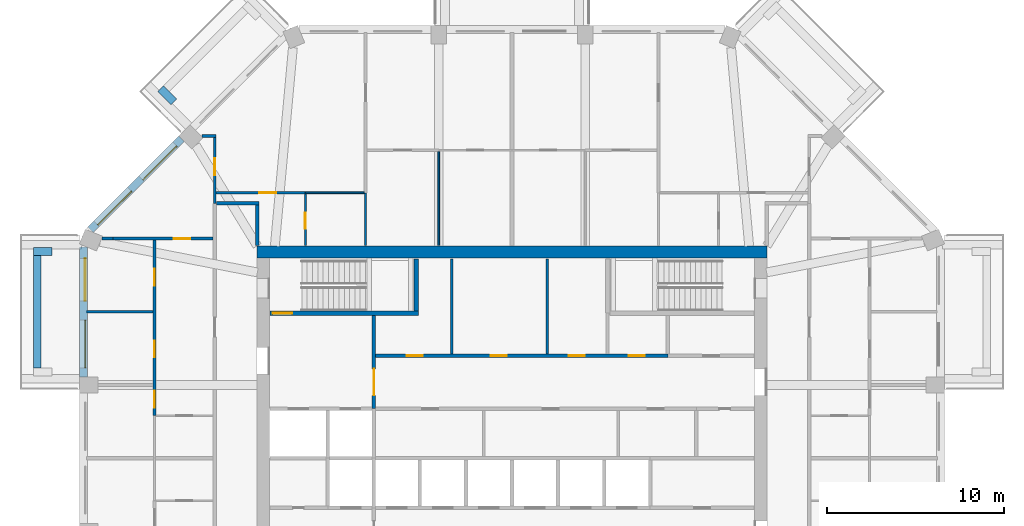
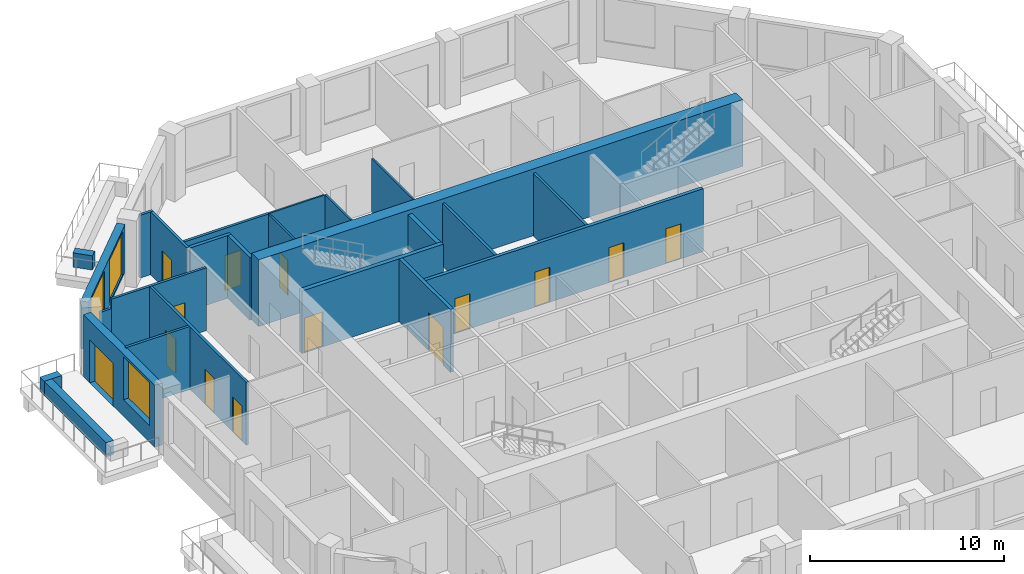
# One storey, part 7 of 12: 25 walls, 14 doors, 3 windows, 17 openings.
"""IFC4 building model written with IfcOpenShell, lengths in metres."""

from ifc_helpers import new_model, si_unit, direction, frame, frame_2d, origin, place, context, subcontext, project, spatial, rectangle, extrude, material, layer, layer_set, type_object, element, fill, save


model = new_model("IFC4")

# Units and contexts
model_context = context("Model", 3, precision=1e-05, world=origin(), true_north=direction((0.0, 1.0)))
body_context = subcontext(model_context, "Body", "Model", "MODEL_VIEW")
ifc_project = project(units=[si_unit("LENGTHUNIT", "METRE"), si_unit("AREAUNIT", "SQUARE_METRE"), si_unit("VOLUMEUNIT", "CUBIC_METRE"), si_unit("PLANEANGLEUNIT", "RADIAN"), si_unit("MASSUNIT", "GRAM", prefix="KILO")], contexts=[model_context])

# Site, building, storey
site_placement = place(None, origin())
site = spatial("IfcSite", under=ifc_project, at=site_placement, CompositionType="ELEMENT")
building_placement = place(site_placement, origin())
building = spatial("IfcBuilding", under=site, at=building_placement, Name="Msitu Wima Residences", CompositionType="ELEMENT")
storey_placement = place(building_placement, frame((0.0, 0.0, 166.5)))
storey = spatial("IfcBuildingStorey", under=building, at=storey_placement, Name="L38", CompositionType="ELEMENT", Elevation=166.5)

# Walls
ifc_material_1 = material(Name="Facing brick")
ifc_layer_1 = layer(ifc_material_1, 0.06494140625, Name="Facing brick")
ifc_material_2 = material(Name="Concrete C40/50", Category="concrete")
ifc_layer_2 = layer(ifc_material_2, 0.156005859375, Name="Concrete C40/50")
ifc_material_3 = material(Name="Waterproofing membrane")
ifc_layer_3 = layer(ifc_material_3, 0.00390625, Name="Waterproofing membrane")
ifc_material_4 = material(Name="Planting soil and planting")
ifc_layer_4 = layer(ifc_material_4, 0.22509765625, Name="Planting soil and planting")
ifc_layer_set_1 = layer_set([ifc_layer_1, ifc_layer_2, ifc_layer_3, ifc_layer_4], Name="Concrete C40/50")
wall_type_1 = type_object("IfcWallType", Name="Balcony planter PLANTER PL450", PredefinedType="USERDEFINED", material=ifc_layer_set_1)
wall_1_placement = place(storey_placement, frame((-19.107421875, 20.1328125, 0.0), z_axis=(0.0, 0.0, 1.0), x_axis=(-0.707106781187, 0.707106781187, 0.0)))
element("IfcWall", 1, at=wall_1_placement, inside=storey, type_object=wall_type_1, Name="Balcony planter NW0 L38", ObjectType="PLANTER", PredefinedType="USERDEFINED", context=body_context, shape_type="SweptSolid", body=[
    extrude(rectangle(XDim=1.050048828125, YDim=0.449951171875, at=frame_2d((0.52490234375, 0.0))), origin(), (0.0, 0.0, 1.0), 0.89990234375),
])
wall_2_placement = place(storey_placement, frame((-26.824951171875, 11.461669921875, 0.0), z_axis=(0.0, 0.0, 1.0), x_axis=(0.0, -1.0, 0.0)))
element("IfcWall", 2, at=wall_2_placement, inside=storey, type_object=wall_type_1, Name="Balcony planter W0 L38", ObjectType="PLANTER", PredefinedType="USERDEFINED", context=body_context, shape_type="SweptSolid", body=[
    extrude(rectangle(XDim=6.37451171875, YDim=0.449951171875, at=frame_2d((3.187255859375, 0.0))), origin(), (0.0, 0.0, 1.0), 0.89990234375),
])
wall_3_placement = place(storey_placement, frame((-26.0, 11.686767578125, 0.0), z_axis=(0.0, 0.0, 1.0), x_axis=(-1.0, 0.0, 0.0)))
element("IfcWall", 3, at=wall_3_placement, inside=storey, type_object=wall_type_1, Name="Balcony planter W0 L38", ObjectType="PLANTER", PredefinedType="USERDEFINED", context=body_context, shape_type="SweptSolid", body=[
    extrude(rectangle(XDim=1.050048828125, YDim=0.449951171875, at=frame_2d((0.52490234375, 0.0))), origin(), (0.0, 0.0, 1.0), 0.89990234375),
])

# Wall, openings, windows
ifc_material_5 = material(Name="Brick (red buff mix)", Category="masonry")
ifc_layer_5 = layer(ifc_material_5, 0.449951171875)
ifc_layer_set_2 = layer_set([ifc_layer_5], Name="Brick (red buff mix)")
wall_type_2 = type_object("IfcWallType", Name="Brick infill wall BW450", PredefinedType="SOLIDWALL", material=ifc_layer_set_2)
wall_4_placement = place(storey_placement, frame((-18.68310546875, 18.046875, 0.89990234375), z_axis=(0.0, 0.0, 1.0), x_axis=(-0.707106781187, -0.707106781187, 0.0)))
wall_4 = element("IfcWall", 4, at=wall_4_placement, inside=storey, type_object=wall_type_2, Name="Brick infill wall L38 NW1", PredefinedType="SOLIDWALL", context=body_context, shape_type="SweptSolid", body=[
    extrude(rectangle(XDim=7.257080078125, YDim=0.449951171875, at=frame_2d((3.62841796875, 0.0))), origin(), (0.0, 0.0, 1.0), 3.0),
])
opening_1_placement = place(wall_4_placement, frame((0.478515625, 0.0, 0.14990234375)))
opening_1 = element("IfcOpeningElement", 5, at=opening_1_placement, cuts=wall_4, Name="Opening W38-39.014", PredefinedType="OPENING", context=body_context, shape_type="SweptSolid", body=[
    extrude(rectangle(XDim=2.699951171875, YDim=2.699951171875, at=frame_2d((1.35009765625, 1.35009765625))), frame((0.0, 0.23486328125, 0.0), z_axis=(0.0, -1.0, 0.0), x_axis=(1.0, 0.0, 0.0)), (0.0, 0.0, 1.0), 0.469970703125),
])
opening_2_placement = place(wall_4_placement, frame((4.07861328125, 0.0, 0.14990234375)))
opening_2 = element("IfcOpeningElement", 6, at=opening_2_placement, cuts=wall_4, Name="Opening W38-39.015", PredefinedType="OPENING", context=body_context, shape_type="SweptSolid", body=[
    extrude(rectangle(XDim=2.699951171875, YDim=2.699951171875, at=frame_2d((1.35009765625, 1.35009765625))), frame((0.0, 0.23486328125, 0.0), z_axis=(0.0, -1.0, 0.0), x_axis=(1.0, 0.0, 0.0)), (0.0, 0.0, 1.0), 0.469970703125),
])
ifc_material_6 = material(Name="Anodised aluminium, bronze finish, clear low-emissivity double glazing", Category="aluminium")
window_type = type_object("IfcWindowType", Name="Window W2700x2700", PartitioningType="DOUBLE_PANEL_VERTICAL", PredefinedType="WINDOW", material=ifc_material_6)
window_1_placement = place(opening_1_placement, origin())
window_1 = element("IfcWindow", 7, at=window_1_placement, inside=storey, type_object=window_type, Name="Window L38 NW1.1", OverallHeight=2.699951171875, OverallWidth=2.699951171875, PartitioningType="SINGLE_PANEL", PredefinedType="WINDOW", context=body_context, shape_type="SweptSolid", body=[
    extrude(rectangle(XDim=2.699951171875, YDim=2.699951171875, at=frame_2d((1.35009765625, 1.35009765625))), frame((0.0, 0.135009765625, 0.0), z_axis=(0.0, -1.0, 0.0), x_axis=(1.0, 0.0, 0.0)), (0.0, 0.0, 1.0), 0.06005859375),
])
fill(opening_1, window_1)
window_2_placement = place(opening_2_placement, origin())
window_2 = element("IfcWindow", 8, at=window_2_placement, inside=storey, type_object=window_type, Name="Window L38 NW1.2", OverallHeight=2.699951171875, OverallWidth=2.699951171875, PartitioningType="SINGLE_PANEL", PredefinedType="WINDOW", context=body_context, shape_type="SweptSolid", body=[
    extrude(rectangle(XDim=2.699951171875, YDim=2.699951171875, at=frame_2d((1.35009765625, 1.35009765625))), frame((0.0, 0.135009765625, 0.0), z_axis=(0.0, -1.0, 0.0), x_axis=(1.0, 0.0, 0.0)), (0.0, 0.0, 1.0), 0.06005859375),
])
fill(opening_2, window_2)

# Wall, openings, door, window
wall_5_placement = place(storey_placement, frame((-24.22509765625, 11.9248046875, 0.0), z_axis=(0.0, 0.0, 1.0), x_axis=(0.0, -1.0, 0.0)))
wall_5 = element("IfcWall", 9, at=wall_5_placement, inside=storey, type_object=wall_type_2, Name="Brick infill wall L38 W0", PredefinedType="SOLIDWALL", context=body_context, shape_type="SweptSolid", body=[
    extrude(rectangle(XDim=7.337646484375, YDim=0.449951171875, at=frame_2d((3.6689453125, 0.0))), origin(), (0.0, 0.0, 1.0), 3.89990234375),
])
opening_3_placement = place(wall_5_placement, frame((0.63427734375, 0.0, 0.0)))
opening_3 = element("IfcOpeningElement", 10, at=opening_3_placement, cuts=wall_5, Name="Opening D38-39.009", PredefinedType="OPENING", context=body_context, shape_type="SweptSolid", body=[
    extrude(rectangle(XDim=2.39990234375, YDim=2.699951171875, at=frame_2d((1.199951171875, 1.35009765625))), frame((0.0, 0.23486328125, 0.0), z_axis=(0.0, -1.0, 0.0), x_axis=(1.0, 0.0, 0.0)), (0.0, 0.0, 1.0), 0.469970703125),
])
opening_4_placement = place(wall_5_placement, frame((4.11865234375, 0.0, 1.050048828125)))
opening_4 = element("IfcOpeningElement", 11, at=opening_4_placement, cuts=wall_5, Name="Opening W38-39.027", PredefinedType="OPENING", context=body_context, shape_type="SweptSolid", body=[
    extrude(rectangle(XDim=2.699951171875, YDim=2.699951171875, at=frame_2d((1.35009765625, 1.35009765625))), frame((0.0, 0.23486328125, 0.0), z_axis=(0.0, -1.0, 0.0), x_axis=(1.0, 0.0, 0.0)), (0.0, 0.0, 1.0), 0.469970703125),
])
door_type_1 = type_object("IfcDoorType", Name="Balcony door D2400x2700", OperationType="SLIDING_TO_LEFT", PredefinedType="DOOR", material=ifc_material_6)
door_1_placement = place(opening_3_placement, origin())
door_1 = element("IfcDoor", 12, at=door_1_placement, inside=storey, type_object=door_type_1, Name="Balcony door L38 W0", OperationType="SINGLE_SWING_LEFT", OverallHeight=2.699951171875, OverallWidth=2.39990234375, PredefinedType="DOOR", context=body_context, shape_type="SweptSolid", body=[
    extrude(rectangle(XDim=2.39990234375, YDim=2.699951171875, at=frame_2d((1.199951171875, 1.35009765625))), frame((0.0, 0.1298828125, 0.0), z_axis=(0.0, -1.0, 0.0), x_axis=(1.0, 0.0, 0.0)), (0.0, 0.0, 1.0), 0.050048828125),
])
fill(opening_3, door_1)
window_3_placement = place(opening_4_placement, origin())
window_3 = element("IfcWindow", 13, at=window_3_placement, inside=storey, type_object=window_type, Name="Window L38 W0.2", OverallHeight=2.699951171875, OverallWidth=2.699951171875, PartitioningType="SINGLE_PANEL", PredefinedType="WINDOW", context=body_context, shape_type="SweptSolid", body=[
    extrude(rectangle(XDim=2.699951171875, YDim=2.699951171875, at=frame_2d((1.35009765625, 1.35009765625))), frame((0.0, 0.135009765625, 0.0), z_axis=(0.0, -1.0, 0.0), x_axis=(1.0, 0.0, 0.0)), (0.0, 0.0, 1.0), 0.06005859375),
])
fill(opening_4, window_3)

# Walls
ifc_material_7 = material(Name="Concrete C60/75", Category="concrete")
ifc_layer_6 = layer(ifc_material_7, 0.699951171875)
ifc_layer_set_3 = layer_set([ifc_layer_6], Name="Concrete C60/75")
wall_type_3 = type_object("IfcWallType", Name="Core wall CW700 C60/75", PredefinedType="SHEAR", material=ifc_layer_set_3)
wall_6_placement = place(storey_placement, frame((-14.39990234375, 11.64990234375, 0.0), z_axis=(0.0, 0.0, 1.0), x_axis=(1.0, 0.0, 0.0)))
element("IfcWall", 14, at=wall_6_placement, inside=storey, type_object=wall_type_3, Name="Core wall", PredefinedType="SHEAR", context=body_context, shape_type="SweptSolid", body=[
    extrude(rectangle(XDim=28.7998046875, YDim=0.699951171875, at=frame_2d((14.39990234375, 0.0))), origin(), (0.0, 0.0, 1.0), 4.199951171875),
])
ifc_material_8 = material(Name="Plaster")
ifc_layer_7 = layer(ifc_material_8, 0.011962890625, Name="Plaster")
ifc_material_9 = material(Name="Concrete blockwork", Category="masonry")
ifc_layer_8 = layer(ifc_material_9, 0.176025390625, Name="Concrete blockwork")
ifc_layer_9 = layer(ifc_material_8, 0.011962890625, Name="Plaster")
ifc_layer_set_4 = layer_set([ifc_layer_7, ifc_layer_8, ifc_layer_9], Name="Concrete blockwork")
wall_type_4 = type_object("IfcWallType", Name="Corridor wall FW200", PredefinedType="PARTITIONING", material=ifc_layer_set_4)
wall_7_placement = place(storey_placement, frame((-16.699951171875, 14.39990234375, 0.0), z_axis=(0.0, 0.0, 1.0), x_axis=(1.0, 0.0, 0.0)))
element("IfcWall", 15, at=wall_7_placement, inside=storey, type_object=wall_type_4, Name="Corridor wall", PredefinedType="PARTITIONING", context=body_context, shape_type="SweptSolid", body=[
    extrude(rectangle(XDim=2.39990234375, YDim=0.199951171875, at=frame_2d((1.199951171875, 0.0))), origin(), (0.0, 0.0, 1.0), 3.949951171875),
])
wall_8_placement = place(storey_placement, frame((-14.39990234375, 12.030029296875, 0.0), z_axis=(0.0, 0.0, 1.0), x_axis=(0.0, 1.0, 0.0)))
element("IfcWall", 16, at=wall_8_placement, inside=storey, type_object=wall_type_4, Name="Corridor wall", PredefinedType="PARTITIONING", context=body_context, shape_type="SweptSolid", body=[
    extrude(rectangle(XDim=2.27001953125, YDim=0.199951171875, at=frame_2d((1.135009765625, 0.0))), origin(), (0.0, 0.0, 1.0), 3.949951171875),
])

# Wall, opening, door
wall_9_placement = place(storey_placement, frame((-7.800048828125, 2.800048828125, 0.0), z_axis=(0.0, 0.0, 1.0), x_axis=(0.0, 1.0, 0.0)))
wall_9 = element("IfcWall", 17, at=wall_9_placement, inside=storey, type_object=wall_type_4, Name="Corridor wall", PredefinedType="PARTITIONING", context=body_context, shape_type="SweptSolid", body=[
    extrude(rectangle(XDim=5.27490234375, YDim=0.199951171875, at=frame_2d((2.637451171875, 0.0))), origin(), (0.0, 0.0, 1.0), 3.949951171875),
])
opening_5_placement = place(wall_9_placement, frame((0.75, 0.0, 0.0)))
opening_5 = element("IfcOpeningElement", 18, at=opening_5_placement, cuts=wall_9, Name="Opening D38-39.061", PredefinedType="OPENING", context=body_context, shape_type="SweptSolid", body=[
    extrude(rectangle(XDim=1.5, YDim=2.39990234375, at=frame_2d((0.75, 1.199951171875))), frame((0.0, 0.10986328125, 0.0), z_axis=(0.0, -1.0, 0.0), x_axis=(1.0, 0.0, 0.0)), (0.0, 0.0, 1.0), 0.219970703125),
])
ifc_material_10 = material(Name="Steel framed glazed door, fire resisting", Category="steel")
door_type_2 = type_object("IfcDoorType", Name="Lobby door D07 1500x2400", OperationType="DOUBLE_DOOR_SINGLE_SWING", PredefinedType="DOOR", material=ifc_material_10)
door_2_placement = place(opening_5_placement, origin())
door_2 = element("IfcDoor", 19, at=door_2_placement, inside=storey, type_object=door_type_2, Name="Lobby door", OperationType="DOUBLE_DOOR_SINGLE_SWING", OverallHeight=2.39990234375, OverallWidth=1.5, PredefinedType="DOOR", context=body_context, shape_type="SweptSolid", body=[
    extrude(rectangle(XDim=1.5, YDim=2.39990234375, at=frame_2d((0.75, 1.199951171875))), frame((0.0, 0.02490234375, 0.0), z_axis=(0.0, -1.0, 0.0), x_axis=(1.0, 0.0, 0.0)), (0.0, 0.0, 1.0), 0.050048828125),
])
fill(opening_5, door_2)

# Wall, openings, doors
wall_10_placement = place(storey_placement, frame((-7.699951171875, 5.800048828125, 0.0), z_axis=(0.0, 0.0, 1.0), x_axis=(1.0, 0.0, 0.0)))
wall_10 = element("IfcWall", 20, at=wall_10_placement, inside=storey, type_object=wall_type_4, Name="Corridor wall", PredefinedType="PARTITIONING", context=body_context, shape_type="SweptSolid", body=[
    extrude(rectangle(XDim=16.52001953125, YDim=0.199951171875, at=frame_2d((8.260009765625, 0.0))), origin(), (0.0, 0.0, 1.0), 3.949951171875),
])
opening_6_placement = place(wall_10_placement, frame((1.75, 0.0, 0.0)))
opening_6 = element("IfcOpeningElement", 21, at=opening_6_placement, cuts=wall_10, Name="Opening D38-39.064", PredefinedType="OPENING", context=body_context, shape_type="SweptSolid", body=[
    extrude(rectangle(XDim=0.89990234375, YDim=2.199951171875, at=frame_2d((0.449951171875, 1.10009765625))), frame((0.0, 0.10986328125, 0.0), z_axis=(0.0, -1.0, 0.0), x_axis=(1.0, 0.0, 0.0)), (0.0, 0.0, 1.0), 0.219970703125),
])
opening_7_placement = place(wall_10_placement, frame((6.5, 0.0, 0.0)))
opening_7 = element("IfcOpeningElement", 22, at=opening_7_placement, cuts=wall_10, Name="Opening D38-39.065", PredefinedType="OPENING", context=body_context, shape_type="SweptSolid", body=[
    extrude(rectangle(XDim=0.89990234375, YDim=2.199951171875, at=frame_2d((0.449951171875, 1.10009765625))), frame((0.0, 0.10986328125, 0.0), z_axis=(0.0, -1.0, 0.0), x_axis=(1.0, 0.0, 0.0)), (0.0, 0.0, 1.0), 0.219970703125),
])
opening_8_placement = place(wall_10_placement, frame((10.89990234375, 0.0, 0.0)))
opening_8 = element("IfcOpeningElement", 23, at=opening_8_placement, cuts=wall_10, Name="Opening D38-39.066", PredefinedType="OPENING", context=body_context, shape_type="SweptSolid", body=[
    extrude(rectangle(XDim=0.89990234375, YDim=2.199951171875, at=frame_2d((0.449951171875, 1.10009765625))), frame((0.0, 0.10986328125, 0.0), z_axis=(0.0, -1.0, 0.0), x_axis=(1.0, 0.0, 0.0)), (0.0, 0.0, 1.0), 0.219970703125),
])
opening_9_placement = place(wall_10_placement, frame((14.300048828125, 0.0, 0.0)))
opening_9 = element("IfcOpeningElement", 24, at=opening_9_placement, cuts=wall_10, Name="Opening D38-39.067", PredefinedType="OPENING", context=body_context, shape_type="SweptSolid", body=[
    extrude(rectangle(XDim=0.89990234375, YDim=2.199951171875, at=frame_2d((0.449951171875, 1.10009765625))), frame((0.0, 0.10986328125, 0.0), z_axis=(0.0, -1.0, 0.0), x_axis=(1.0, 0.0, 0.0)), (0.0, 0.0, 1.0), 0.219970703125),
])
ifc_material_11 = material(Name="Timber flush door", Category="wood")
door_type_3 = type_object("IfcDoorType", Name="Service door D05 900x2200", OperationType="SINGLE_SWING_LEFT", PredefinedType="DOOR", material=ifc_material_11)
door_3_placement = place(opening_6_placement, origin())
door_3 = element("IfcDoor", 25, at=door_3_placement, inside=storey, type_object=door_type_3, Name="Service door", OperationType="SINGLE_SWING_RIGHT", OverallHeight=2.199951171875, OverallWidth=0.89990234375, PredefinedType="DOOR", context=body_context, shape_type="SweptSolid", body=[
    extrude(rectangle(XDim=0.89990234375, YDim=2.199951171875, at=frame_2d((0.449951171875, 1.10009765625))), frame((0.0, 0.02490234375, 0.0), z_axis=(0.0, -1.0, 0.0), x_axis=(1.0, 0.0, 0.0)), (0.0, 0.0, 1.0), 0.050048828125),
])
fill(opening_6, door_3)
door_4_placement = place(opening_7_placement, origin())
door_4 = element("IfcDoor", 26, at=door_4_placement, inside=storey, type_object=door_type_3, Name="Service door", OperationType="SINGLE_SWING_LEFT", OverallHeight=2.199951171875, OverallWidth=0.89990234375, PredefinedType="DOOR", context=body_context, shape_type="SweptSolid", body=[
    extrude(rectangle(XDim=0.89990234375, YDim=2.199951171875, at=frame_2d((0.449951171875, 1.10009765625))), frame((0.0, 0.02490234375, 0.0), z_axis=(0.0, -1.0, 0.0), x_axis=(1.0, 0.0, 0.0)), (0.0, 0.0, 1.0), 0.050048828125),
])
fill(opening_7, door_4)
door_5_placement = place(opening_8_placement, origin())
door_5 = element("IfcDoor", 27, at=door_5_placement, inside=storey, type_object=door_type_3, Name="Service door", OperationType="SINGLE_SWING_LEFT", OverallHeight=2.199951171875, OverallWidth=0.89990234375, PredefinedType="DOOR", context=body_context, shape_type="SweptSolid", body=[
    extrude(rectangle(XDim=0.89990234375, YDim=2.199951171875, at=frame_2d((0.449951171875, 1.10009765625))), frame((0.0, 0.02490234375, 0.0), z_axis=(0.0, -1.0, 0.0), x_axis=(1.0, 0.0, 0.0)), (0.0, 0.0, 1.0), 0.050048828125),
])
fill(opening_8, door_5)
door_6_placement = place(opening_9_placement, origin())
door_6 = element("IfcDoor", 28, at=door_6_placement, inside=storey, type_object=door_type_3, Name="Service door", OperationType="SINGLE_SWING_LEFT", OverallHeight=2.199951171875, OverallWidth=0.89990234375, PredefinedType="DOOR", context=body_context, shape_type="SweptSolid", body=[
    extrude(rectangle(XDim=0.89990234375, YDim=2.199951171875, at=frame_2d((0.449951171875, 1.10009765625))), frame((0.0, 0.02490234375, 0.0), z_axis=(0.0, -1.0, 0.0), x_axis=(1.0, 0.0, 0.0)), (0.0, 0.0, 1.0), 0.050048828125),
])
fill(opening_9, door_6)

# Walls
ifc_layer_10 = layer(ifc_material_8, 0.011962890625, Name="Plaster")
ifc_layer_11 = layer(ifc_material_9, 0.1259765625, Name="Concrete blockwork")
ifc_layer_12 = layer(ifc_material_8, 0.011962890625, Name="Plaster")
ifc_layer_set_5 = layer_set([ifc_layer_10, ifc_layer_11, ifc_layer_12], Name="Concrete blockwork")
wall_type_5 = type_object("IfcWallType", Name="Partition PW150", PredefinedType="PARTITIONING", material=ifc_layer_set_5)
wall_11_placement = place(storey_placement, frame((-24.054931640625, 8.2744140625, 0.0), z_axis=(0.0, 0.0, 1.0), x_axis=(1.0, 0.0, 0.0)))
element("IfcWall", 29, at=wall_11_placement, inside=storey, type_object=wall_type_5, Name="Partition", PredefinedType="PARTITIONING", context=body_context, shape_type="SweptSolid", body=[
    extrude(rectangle(XDim=3.780029296875, YDim=0.14990234375, at=frame_2d((1.89013671875, 0.0))), origin(), (0.0, 0.0, 1.0), 3.949951171875),
])
wall_12_placement = place(storey_placement, frame((-23.1689453125, 12.411865234375, 0.0), z_axis=(0.0, 0.0, 1.0), x_axis=(1.0, 0.0, 0.0)))
element("IfcWall", 30, at=wall_12_placement, inside=storey, type_object=wall_type_5, Name="Partition", PredefinedType="PARTITIONING", context=body_context, shape_type="SweptSolid", body=[
    extrude(rectangle(XDim=0.630615234375, YDim=0.14990234375, at=frame_2d((0.3154296875, 0.0))), origin(), (0.0, 0.0, 1.0), 3.35009765625),
])

# Wall, opening, door
wall_13_placement = place(storey_placement, frame((-22.538330078125, 12.411865234375, 0.0), z_axis=(0.0, 0.0, 1.0), x_axis=(1.0, 0.0, 0.0)))
wall_13 = element("IfcWall", 31, at=wall_13_placement, inside=storey, type_object=wall_type_5, Name="Partition", PredefinedType="PARTITIONING", context=body_context, shape_type="SweptSolid", body=[
    extrude(rectangle(XDim=5.638427734375, YDim=0.14990234375, at=frame_2d((2.8193359375, 0.0))), origin(), (0.0, 0.0, 1.0), 3.949951171875),
])
opening_10_placement = place(wall_13_placement, frame((3.41943359375, 0.0, 0.0)))
opening_10 = element("IfcOpeningElement", 32, at=opening_10_placement, cuts=wall_13, Name="Opening D38-39.030", PredefinedType="OPENING", context=body_context, shape_type="SweptSolid", body=[
    extrude(rectangle(XDim=0.949951171875, YDim=2.199951171875, at=frame_2d((0.47509765625, 1.10009765625))), frame((0.0, 0.0849609375, 0.0), z_axis=(0.0, -1.0, 0.0), x_axis=(1.0, 0.0, 0.0)), (0.0, 0.0, 1.0), 0.169921875),
])
door_type_4 = type_object("IfcDoorType", Name="Room door D12 950x2200", OperationType="SINGLE_SWING_LEFT", PredefinedType="DOOR", material=ifc_material_11)
door_7_placement = place(opening_10_placement, origin())
door_7 = element("IfcDoor", 33, at=door_7_placement, inside=storey, type_object=door_type_4, Name="Room door", OperationType="SINGLE_SWING_RIGHT", OverallHeight=2.199951171875, OverallWidth=0.949951171875, PredefinedType="DOOR", context=body_context, shape_type="SweptSolid", body=[
    extrude(rectangle(XDim=0.949951171875, YDim=2.199951171875, at=frame_2d((0.47509765625, 1.10009765625))), frame((0.0, 0.02490234375, 0.0), z_axis=(0.0, -1.0, 0.0), x_axis=(1.0, 0.0, 0.0)), (0.0, 0.0, 1.0), 0.050048828125),
])
fill(opening_10, door_7)

# Wall, openings, doors
wall_14_placement = place(storey_placement, frame((-20.199951171875, 2.39990234375, 0.0), z_axis=(0.0, 0.0, 1.0), x_axis=(0.0, 1.0, 0.0)))
wall_14 = element("IfcWall", 34, at=wall_14_placement, inside=storey, type_object=wall_type_5, Name="Partition", PredefinedType="PARTITIONING", context=body_context, shape_type="SweptSolid", body=[
    extrude(rectangle(XDim=9.936767578125, YDim=0.14990234375, at=frame_2d((4.96826171875, 0.0))), origin(), (0.0, 0.0, 1.0), 3.949951171875),
])
opening_11_placement = place(wall_14_placement, frame((0.449951171875, 0.0, 0.0)))
opening_11 = element("IfcOpeningElement", 35, at=opening_11_placement, cuts=wall_14, Name="Opening D38-39.027", PredefinedType="OPENING", context=body_context, shape_type="SweptSolid", body=[
    extrude(rectangle(XDim=0.949951171875, YDim=2.199951171875, at=frame_2d((0.47509765625, 1.10009765625))), frame((0.0, 0.0849609375, 0.0), z_axis=(0.0, -1.0, 0.0), x_axis=(1.0, 0.0, 0.0)), (0.0, 0.0, 1.0), 0.169921875),
])
opening_12_placement = place(wall_14_placement, frame((3.300048828125, 0.0, 0.0)))
opening_12 = element("IfcOpeningElement", 36, at=opening_12_placement, cuts=wall_14, Name="Opening D38-39.028", PredefinedType="OPENING", context=body_context, shape_type="SweptSolid", body=[
    extrude(rectangle(XDim=0.949951171875, YDim=2.199951171875, at=frame_2d((0.47509765625, 1.10009765625))), frame((0.0, 0.0849609375, 0.0), z_axis=(0.0, -1.0, 0.0), x_axis=(1.0, 0.0, 0.0)), (0.0, 0.0, 1.0), 0.169921875),
])
opening_13_placement = place(wall_14_placement, frame((7.35009765625, 0.0, 0.0)))
opening_13 = element("IfcOpeningElement", 37, at=opening_13_placement, cuts=wall_14, Name="Opening D38-39.029", PredefinedType="OPENING", context=body_context, shape_type="SweptSolid", body=[
    extrude(rectangle(XDim=0.949951171875, YDim=2.199951171875, at=frame_2d((0.47509765625, 1.10009765625))), frame((0.0, 0.0849609375, 0.0), z_axis=(0.0, -1.0, 0.0), x_axis=(1.0, 0.0, 0.0)), (0.0, 0.0, 1.0), 0.169921875),
])
door_8_placement = place(opening_11_placement, origin())
door_8 = element("IfcDoor", 38, at=door_8_placement, inside=storey, type_object=door_type_4, Name="Room door", OperationType="SINGLE_SWING_RIGHT", OverallHeight=2.199951171875, OverallWidth=0.949951171875, PredefinedType="DOOR", context=body_context, shape_type="SweptSolid", body=[
    extrude(rectangle(XDim=0.949951171875, YDim=2.199951171875, at=frame_2d((0.47509765625, 1.10009765625))), frame((0.0, 0.02490234375, 0.0), z_axis=(0.0, -1.0, 0.0), x_axis=(1.0, 0.0, 0.0)), (0.0, 0.0, 1.0), 0.050048828125),
])
fill(opening_11, door_8)
door_9_placement = place(opening_12_placement, origin())
door_9 = element("IfcDoor", 39, at=door_9_placement, inside=storey, type_object=door_type_4, Name="Room door", OperationType="SINGLE_SWING_LEFT", OverallHeight=2.199951171875, OverallWidth=0.949951171875, PredefinedType="DOOR", context=body_context, shape_type="SweptSolid", body=[
    extrude(rectangle(XDim=0.949951171875, YDim=2.199951171875, at=frame_2d((0.47509765625, 1.10009765625))), frame((0.0, 0.02490234375, 0.0), z_axis=(0.0, -1.0, 0.0), x_axis=(1.0, 0.0, 0.0)), (0.0, 0.0, 1.0), 0.050048828125),
])
fill(opening_12, door_9)
door_10_placement = place(opening_13_placement, origin())
door_10 = element("IfcDoor", 40, at=door_10_placement, inside=storey, type_object=door_type_4, Name="Room door", OperationType="SINGLE_SWING_LEFT", OverallHeight=2.199951171875, OverallWidth=0.949951171875, PredefinedType="DOOR", context=body_context, shape_type="SweptSolid", body=[
    extrude(rectangle(XDim=0.949951171875, YDim=2.199951171875, at=frame_2d((0.47509765625, 1.10009765625))), frame((0.0, 0.02490234375, 0.0), z_axis=(0.0, -1.0, 0.0), x_axis=(1.0, 0.0, 0.0)), (0.0, 0.0, 1.0), 0.050048828125),
])
fill(opening_13, door_10)

# Wall
wall_15_placement = place(storey_placement, frame((-17.509521484375, 18.205810546875, 0.0), z_axis=(0.0, 0.0, 1.0), x_axis=(1.0, 0.0, 0.0)))
element("IfcWall", 41, at=wall_15_placement, inside=storey, type_object=wall_type_5, Name="Partition", PredefinedType="PARTITIONING", context=body_context, shape_type="SweptSolid", body=[
    extrude(rectangle(XDim=0.784423828125, YDim=0.14990234375, at=frame_2d((0.39208984375, 0.0))), origin(), (0.0, 0.0, 1.0), 3.949951171875),
])

# Wall, opening, door
wall_16_placement = place(storey_placement, frame((-16.800048828125, 14.39990234375, 0.0), z_axis=(0.0, 0.0, 1.0), x_axis=(0.0, 1.0, 0.0)))
wall_16 = element("IfcWall", 42, at=wall_16_placement, inside=storey, type_object=wall_type_5, Name="Partition", PredefinedType="PARTITIONING", context=body_context, shape_type="SweptSolid", body=[
    extrude(rectangle(XDim=3.73095703125, YDim=0.14990234375, at=frame_2d((1.865478515625, 0.0))), origin(), (0.0, 0.0, 1.0), 3.949951171875),
])
opening_14_placement = place(wall_16_placement, frame((1.60009765625, 0.0, 0.0)))
opening_14 = element("IfcOpeningElement", 43, at=opening_14_placement, cuts=wall_16, Name="Opening D38-39.031", PredefinedType="OPENING", context=body_context, shape_type="SweptSolid", body=[
    extrude(rectangle(XDim=0.949951171875, YDim=2.199951171875, at=frame_2d((0.47509765625, 1.10009765625))), frame((0.0, 0.0849609375, 0.0), z_axis=(0.0, -1.0, 0.0), x_axis=(1.0, 0.0, 0.0)), (0.0, 0.0, 1.0), 0.169921875),
])
door_11_placement = place(opening_14_placement, origin())
door_11 = element("IfcDoor", 44, at=door_11_placement, inside=storey, type_object=door_type_4, Name="Room door", OperationType="SINGLE_SWING_RIGHT", OverallHeight=2.199951171875, OverallWidth=0.949951171875, PredefinedType="DOOR", context=body_context, shape_type="SweptSolid", body=[
    extrude(rectangle(XDim=0.949951171875, YDim=2.199951171875, at=frame_2d((0.47509765625, 1.10009765625))), frame((0.0, 0.02490234375, 0.0), z_axis=(0.0, -1.0, 0.0), x_axis=(1.0, 0.0, 0.0)), (0.0, 0.0, 1.0), 0.050048828125),
])
fill(opening_14, door_11)

wall_17_placement = place(storey_placement, frame((-16.72509765625, 15.0, 0.0), z_axis=(0.0, 0.0, 1.0), x_axis=(1.0, 0.0, 0.0)))
wall_17 = element("IfcWall", 45, at=wall_17_placement, inside=storey, type_object=wall_type_5, Name="Partition", PredefinedType="PARTITIONING", context=body_context, shape_type="SweptSolid", body=[
    extrude(rectangle(XDim=5.050537109375, YDim=0.14990234375, at=frame_2d((2.525390625, 0.0))), origin(), (0.0, 0.0, 1.0), 3.949951171875),
])
opening_15_placement = place(wall_17_placement, frame((2.449951171875, 0.0, 0.0)))
opening_15 = element("IfcOpeningElement", 46, at=opening_15_placement, cuts=wall_17, Name="Opening D38-39.033", PredefinedType="OPENING", context=body_context, shape_type="SweptSolid", body=[
    extrude(rectangle(XDim=0.949951171875, YDim=2.199951171875, at=frame_2d((0.47509765625, 1.10009765625))), frame((0.0, 0.0849609375, 0.0), z_axis=(0.0, -1.0, 0.0), x_axis=(1.0, 0.0, 0.0)), (0.0, 0.0, 1.0), 0.169921875),
])
door_12_placement = place(opening_15_placement, origin())
door_12 = element("IfcDoor", 47, at=door_12_placement, inside=storey, type_object=door_type_4, Name="Room door", OperationType="SINGLE_SWING_LEFT", OverallHeight=2.199951171875, OverallWidth=0.949951171875, PredefinedType="DOOR", context=body_context, shape_type="SweptSolid", body=[
    extrude(rectangle(XDim=0.949951171875, YDim=2.199951171875, at=frame_2d((0.47509765625, 1.10009765625))), frame((0.0, 0.02490234375, 0.0), z_axis=(0.0, -1.0, 0.0), x_axis=(1.0, 0.0, 0.0)), (0.0, 0.0, 1.0), 0.050048828125),
])
fill(opening_15, door_12)

# Walls
for number, where, z_axis, x_axis, name in (
    (48, (-3.39990234375, 5.89990234375, 0.0), (0.0, 0.0, 1.0), (0.0, 1.0, 0.0), "Partition"),
    (49, (2.0, 5.89990234375, 0.0), (0.0, 0.0, 1.0), (0.0, 1.0, 0.0), "Partition"),
):
    element("IfcWall", number, at=place(storey_placement, frame(where, z_axis=z_axis, x_axis=x_axis)), inside=storey, type_object=wall_type_5, Name=name, PredefinedType="PARTITIONING", context=body_context, shape_type="SweptSolid", body=[
        extrude(rectangle(XDim=5.3701171875, YDim=0.14990234375, at=frame_2d((2.68505859375, 0.0))), origin(), (0.0, 0.0, 1.0), 3.949951171875),
    ])

# Wall, opening, door
ifc_material_12 = material(Name="Concrete C50/60", Category="concrete")
ifc_layer_13 = layer(ifc_material_12, 0.25)
ifc_layer_set_6 = layer_set([ifc_layer_13], Name="Concrete C50/60")
wall_type_6 = type_object("IfcWallType", Name="Stair enclosure wall SW250", PredefinedType="SHEAR", material=ifc_layer_set_6)
wall_18_placement = place(storey_placement, frame((-13.669921875, 8.199951171875, 0.0), z_axis=(0.0, 0.0, 1.0), x_axis=(1.0, 0.0, 0.0)))
wall_18 = element("IfcWall", 50, at=wall_18_placement, inside=storey, type_object=wall_type_6, Name="Stair enclosure wall", PredefinedType="SHEAR", context=body_context, shape_type="SweptSolid", body=[
    extrude(rectangle(XDim=8.39501953125, YDim=0.25, at=frame_2d((4.197509765625, 0.0))), origin(), (0.0, 0.0, 1.0), 3.949951171875),
])
opening_16_placement = place(wall_18_placement, frame((0.14990234375, 0.0, 0.0)))
opening_16 = element("IfcOpeningElement", 51, at=opening_16_placement, cuts=wall_18, Name="Opening D38-39.081", PredefinedType="OPENING", context=body_context, shape_type="SweptSolid", body=[
    extrude(rectangle(XDim=1.10009765625, YDim=2.199951171875, at=frame_2d((0.550048828125, 1.10009765625))), frame((0.0, 0.135009765625, 0.0), z_axis=(0.0, -1.0, 0.0), x_axis=(1.0, 0.0, 0.0)), (0.0, 0.0, 1.0), 0.27001953125),
])
ifc_material_13 = material(Name="Steel door, fire resisting, panic bar", Category="steel")
door_type_5 = type_object("IfcDoorType", Name="Stair door D06 1100x2200", OperationType="SINGLE_SWING_LEFT", PredefinedType="DOOR", material=ifc_material_13)
door_13_placement = place(opening_16_placement, origin())
door_13 = element("IfcDoor", 52, at=door_13_placement, inside=storey, type_object=door_type_5, Name="Stair door", OperationType="SINGLE_SWING_LEFT", OverallHeight=2.199951171875, OverallWidth=1.10009765625, PredefinedType="DOOR", context=body_context, shape_type="SweptSolid", body=[
    extrude(rectangle(XDim=1.10009765625, YDim=2.199951171875, at=frame_2d((0.550048828125, 1.10009765625))), frame((0.0, 0.02490234375, 0.0), z_axis=(0.0, -1.0, 0.0), x_axis=(1.0, 0.0, 0.0)), (0.0, 0.0, 1.0), 0.050048828125),
])
fill(opening_16, door_13)

# Wall
wall_19_placement = place(storey_placement, frame((-5.39990234375, 8.324951171875, 0.0), z_axis=(0.0, 0.0, 1.0), x_axis=(0.0, 1.0, 0.0)))
element("IfcWall", 53, at=wall_19_placement, inside=storey, type_object=wall_type_6, Name="Stair enclosure wall", PredefinedType="SHEAR", context=body_context, shape_type="SweptSolid", body=[
    extrude(rectangle(XDim=2.945068359375, YDim=0.25, at=frame_2d((1.47265625, 0.0))), origin(), (0.0, 0.0, 1.0), 3.949951171875),
])

# Wall, opening, door
ifc_material_14 = material(Name="Ceramic tiles")
ifc_layer_14 = layer(ifc_material_14, 0.008056640625, Name="Ceramic tiles")
ifc_material_15 = material(Name="Moisture-resistant board")
ifc_layer_15 = layer(ifc_material_15, 0.012451171875, Name="Moisture-resistant board")
ifc_material_16 = material(Name="Light-gauge stud framing with mineral wool")
ifc_layer_16 = layer(ifc_material_16, 0.06689453125, Name="Light-gauge stud framing with mineral wool")
ifc_layer_17 = layer(ifc_material_15, 0.012451171875, Name="Moisture-resistant board")
ifc_layer_set_7 = layer_set([ifc_layer_14, ifc_layer_15, ifc_layer_16, ifc_layer_17], Name="Light-gauge stud framing with mineral wool")
wall_type_7 = type_object("IfcWallType", Name="Wet wall PW100", PredefinedType="PARTITIONING", material=ifc_layer_set_7)
wall_20_placement = place(storey_placement, frame((-11.674560546875, 12.030029296875, 0.0), z_axis=(0.0, 0.0, 1.0), x_axis=(0.0, 1.0, 0.0)))
wall_20 = element("IfcWall", 54, at=wall_20_placement, inside=storey, type_object=wall_type_7, Name="Wet wall", PredefinedType="PARTITIONING", context=body_context, shape_type="SweptSolid", body=[
    extrude(rectangle(XDim=2.89501953125, YDim=0.10009765625, at=frame_2d((1.447509765625, 0.0))), origin(), (0.0, 0.0, 1.0), 3.949951171875),
])
opening_17_placement = place(wall_20_placement, frame((0.949951171875, 0.0, 0.0)))
opening_17 = element("IfcOpeningElement", 55, at=opening_17_placement, cuts=wall_20, Name="Opening D38-39.026", PredefinedType="OPENING", context=body_context, shape_type="SweptSolid", body=[
    extrude(rectangle(XDim=0.89990234375, YDim=2.199951171875, at=frame_2d((0.449951171875, 1.10009765625))), frame((0.0, 0.06005859375, 0.0), z_axis=(0.0, -1.0, 0.0), x_axis=(1.0, 0.0, 0.0)), (0.0, 0.0, 1.0), 0.1201171875),
])
door_14_placement = place(opening_17_placement, origin())
door_14 = element("IfcDoor", 56, at=door_14_placement, inside=storey, type_object=door_type_3, Name="Service door", OperationType="SINGLE_SWING_RIGHT", OverallHeight=2.199951171875, OverallWidth=0.89990234375, PredefinedType="DOOR", context=body_context, shape_type="SweptSolid", body=[
    extrude(rectangle(XDim=0.89990234375, YDim=2.199951171875, at=frame_2d((0.449951171875, 1.10009765625))), frame((0.0, 0.02490234375, 0.0), z_axis=(0.0, -1.0, 0.0), x_axis=(1.0, 0.0, 0.0)), (0.0, 0.0, 1.0), 0.050048828125),
])
fill(opening_17, door_14)

# Walls
wall_21_placement = place(storey_placement, frame((-11.674560546875, 15.0, 0.0), z_axis=(0.0, 0.0, 1.0), x_axis=(1.0, 0.0, 0.0)))
element("IfcWall", 57, at=wall_21_placement, inside=storey, type_object=wall_type_7, Name="Wet wall", PredefinedType="PARTITIONING", context=body_context, shape_type="SweptSolid", body=[
    extrude(rectangle(XDim=3.324951171875, YDim=0.10009765625, at=frame_2d((1.66259765625, 0.0))), origin(), (0.0, 0.0, 1.0), 3.949951171875),
])
wall_22_placement = place(storey_placement, frame((-8.2744140625, 12.030029296875, 0.0), z_axis=(0.0, 0.0, 1.0), x_axis=(0.0, 1.0, 0.0)))
element("IfcWall", 58, at=wall_22_placement, inside=storey, type_object=wall_type_7, Name="Wet wall", PredefinedType="PARTITIONING", context=body_context, shape_type="SweptSolid", body=[
    extrude(rectangle(XDim=2.949951171875, YDim=0.10009765625, at=frame_2d((1.47509765625, 0.0))), origin(), (0.0, 0.0, 1.0), 3.949951171875),
])
wall_23_placement = place(storey_placement, frame((-4.13720703125, 12.030029296875, 0.0), z_axis=(0.0, 0.0, 1.0), x_axis=(0.0, 1.0, 0.0)))
element("IfcWall", 59, at=wall_23_placement, inside=storey, type_object=wall_type_7, Name="Wet wall", PredefinedType="PARTITIONING", context=body_context, shape_type="SweptSolid", body=[
    extrude(rectangle(XDim=5.294921875, YDim=0.10009765625, at=frame_2d((2.6474609375, 0.0))), origin(), (0.0, 0.0, 1.0), 3.35009765625),
])

save(model, "model.ifc")
